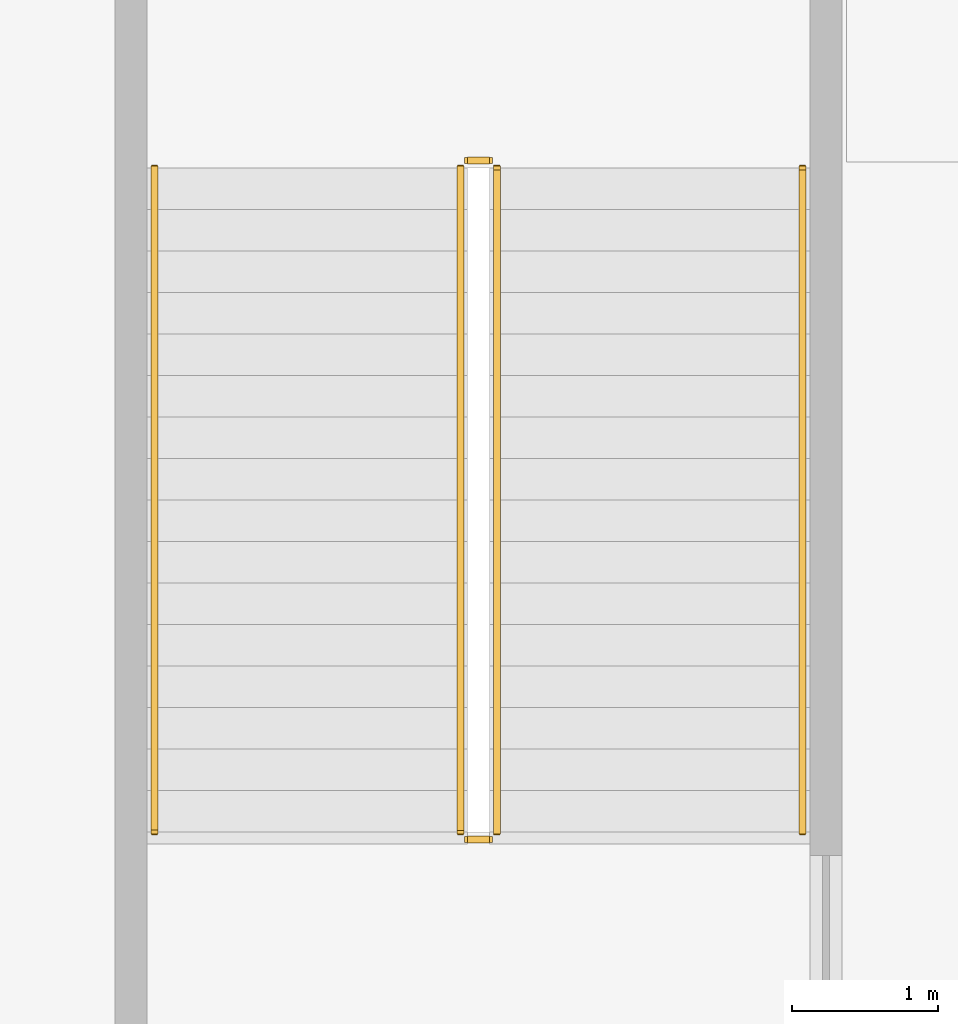
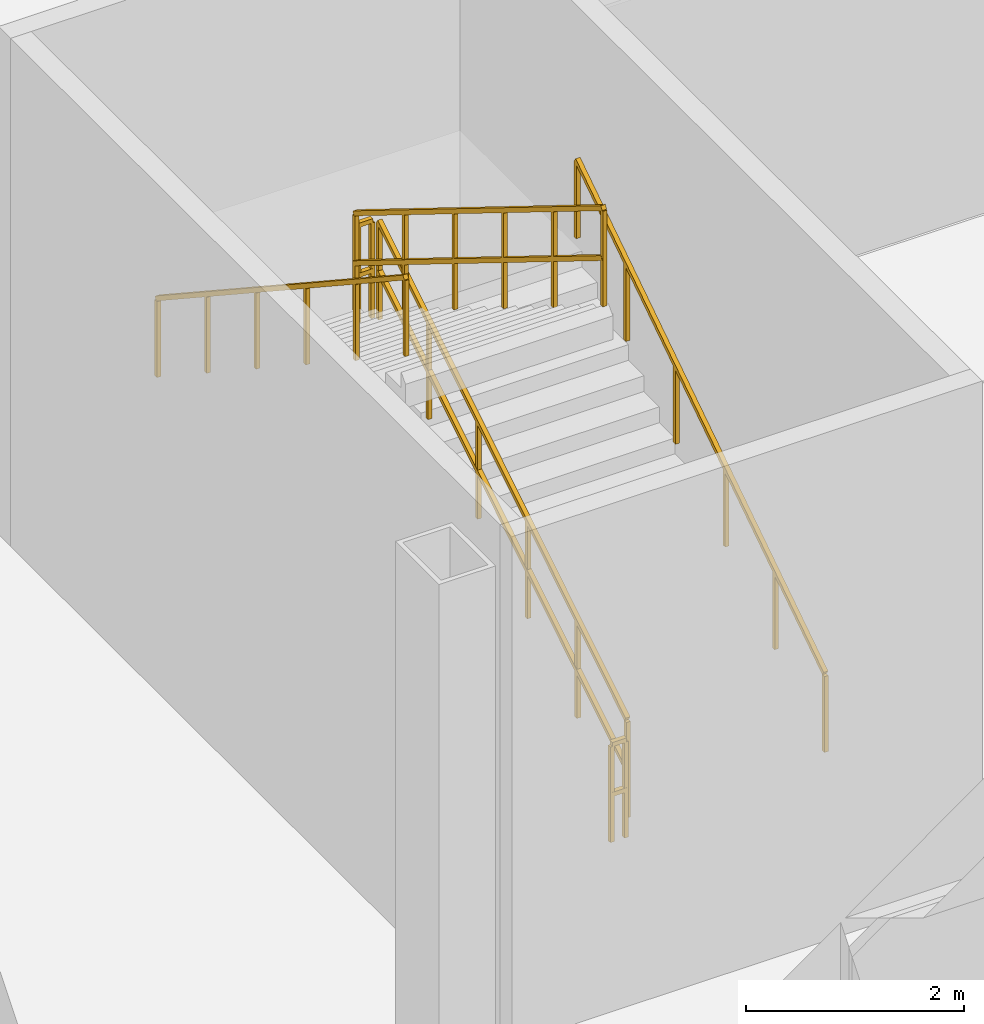
# One storey, part 17 of 24: 6 railings.
"""IFC4 building model written with IfcOpenShell, lengths in metres."""

from ifc_helpers import new_model, si_unit, direction, frame, origin, origin_2d, place, context, subcontext, project, spatial, rectangle, extrude, material, type_object, element, save


model = new_model("IFC4")

# Units and contexts
model_context = context("Model", 3, precision=1e-05, world=origin(), true_north=direction((0.0, 1.0)))
body_context = subcontext(model_context, "Body", "Model", "MODEL_VIEW")
ifc_project = project(units=[si_unit("LENGTHUNIT", "METRE"), si_unit("AREAUNIT", "SQUARE_METRE"), si_unit("VOLUMEUNIT", "CUBIC_METRE"), si_unit("PLANEANGLEUNIT", "RADIAN"), si_unit("MASSUNIT", "GRAM", prefix="KILO")], contexts=[model_context])

# Site, building, storey
site_placement = place(None, origin())
site = spatial("IfcSite", under=ifc_project, at=site_placement, CompositionType="ELEMENT")
building_placement = place(site_placement, origin())
building = spatial("IfcBuilding", under=site, at=building_placement, Name="Apsidion Concourse Tower", CompositionType="ELEMENT")
storey_placement = place(building_placement, frame((0.0, 0.0, 17.5)))
storey = spatial("IfcBuildingStorey", under=building, at=storey_placement, Name="L03", CompositionType="ELEMENT", Elevation=17.5)

# Railings
ifc_material = material(Name="Brushed stainless steel 316", Category="steel")
railing_type_1 = type_object("IfcRailingType", Name="RL-GUARD-1100", PredefinedType="GUARDRAIL", material=ifc_material)
railing_1_placement = place(storey_placement, frame((-31.800048828125, -22.60009765625, 0.176513671875)))
element("IfcRailing", 1, at=railing_1_placement, inside=storey, type_object=railing_type_1, Name="L03 ST-P1 stair guard 1", PredefinedType="GUARDRAIL", context=body_context, shape_type="SweptSolid", body=[
    extrude(rectangle(XDim=0.048095703125, YDim=0.048095703125, at=origin_2d()), frame((0.0, 0.0, 1.09619140625), z_axis=(0.0, 0.850215668316, 0.526434532824), x_axis=(-1.0, 0.0, 0.0)), (0.0, 0.0, 1.0), 5.363525390625),
    extrude(rectangle(XDim=0.048095703125, YDim=0.048095703125, at=origin_2d()), frame((0.0, 0.0, 0.5361328125), z_axis=(0.0, 0.850215668316, 0.526434532824), x_axis=(-1.0, 0.0, 0.0)), (0.0, 0.0, 1.0), 5.363525390625),
    extrude(rectangle(XDim=0.0419921875, YDim=0.0419921875, at=origin_2d()), origin(), (0.0, 0.0, 1.0), 1.072021484375),
    extrude(rectangle(XDim=0.0419921875, YDim=0.0419921875, at=origin_2d()), frame((0.0, 0.912109375, 0.564697265625)), (0.0, 0.0, 1.0), 1.072021484375),
    extrude(rectangle(XDim=0.0419921875, YDim=0.0419921875, at=origin_2d()), frame((0.0, 1.823974609375, 1.12939453125)), (0.0, 0.0, 1.0), 1.072021484375),
    extrude(rectangle(XDim=0.0419921875, YDim=0.0419921875, at=origin_2d()), frame((0.0, 2.736083984375, 1.694091796875)), (0.0, 0.0, 1.0), 1.072021484375),
    extrude(rectangle(XDim=0.0419921875, YDim=0.0419921875, at=origin_2d()), frame((0.0, 3.64794921875, 2.2587890625)), (0.0, 0.0, 1.0), 1.072021484375),
    extrude(rectangle(XDim=0.0419921875, YDim=0.0419921875, at=origin_2d()), frame((0.0, 4.56005859375, 2.823486328125)), (0.0, 0.0, 1.0), 1.072021484375),
])
railing_2_placement = place(storey_placement, frame((-31.85009765625, -17.989990234375, 3.0)))
element("IfcRailing", 2, at=railing_2_placement, inside=storey, type_object=railing_type_1, Name="L03 ST-P1 stair guard 2", PredefinedType="GUARDRAIL", context=body_context, shape_type="SweptSolid", body=[
    extrude(rectangle(XDim=0.048095703125, YDim=0.048095703125, at=origin_2d()), frame((0.0, 0.0, 1.09619140625), z_axis=(-1.0, 0.0, 0.0), x_axis=(0.0, -1.0, 0.0)), (0.0, 0.0, 1.0), 0.14990234375),
    extrude(rectangle(XDim=0.048095703125, YDim=0.048095703125, at=origin_2d()), frame((0.0, 0.0, 0.5361328125), z_axis=(-1.0, 0.0, 0.0), x_axis=(0.0, -1.0, 0.0)), (0.0, 0.0, 1.0), 0.14990234375),
    extrude(rectangle(XDim=0.0419921875, YDim=0.0419921875, at=origin_2d()), origin(), (0.0, 0.0, 1.0), 1.072021484375),
    extrude(rectangle(XDim=0.0419921875, YDim=0.0419921875, at=origin_2d()), frame((-0.14990234375, 0.0, 0.0)), (0.0, 0.0, 1.0), 1.072021484375),
])
railing_3_placement = place(storey_placement, frame((-32.050048828125, -18.0400390625, 3.176513671875)))
element("IfcRailing", 3, at=railing_3_placement, inside=storey, type_object=railing_type_1, Name="L03 ST-P1 stair guard 3", PredefinedType="GUARDRAIL", context=body_context, shape_type="SweptSolid", body=[
    extrude(rectangle(XDim=0.048095703125, YDim=0.048095703125, at=origin_2d()), frame((0.0, 0.0, 1.09619140625), z_axis=(0.0, -0.850215668316, 0.526434532824), x_axis=(1.0, 0.0, 0.0)), (0.0, 0.0, 1.0), 5.363525390625),
    extrude(rectangle(XDim=0.048095703125, YDim=0.048095703125, at=origin_2d()), frame((0.0, 0.0, 0.5361328125), z_axis=(0.0, -0.850215668316, 0.526434532824), x_axis=(1.0, 0.0, 0.0)), (0.0, 0.0, 1.0), 5.363525390625),
    extrude(rectangle(XDim=0.0419921875, YDim=0.0419921875, at=origin_2d()), origin(), (0.0, 0.0, 1.0), 1.072021484375),
    extrude(rectangle(XDim=0.0419921875, YDim=0.0419921875, at=origin_2d()), frame((0.0, -0.912109375, 0.564697265625)), (0.0, 0.0, 1.0), 1.072021484375),
    extrude(rectangle(XDim=0.0419921875, YDim=0.0419921875, at=origin_2d()), frame((0.0, -1.823974609375, 1.12939453125)), (0.0, 0.0, 1.0), 1.072021484375),
    extrude(rectangle(XDim=0.0419921875, YDim=0.0419921875, at=origin_2d()), frame((0.0, -2.736083984375, 1.694091796875)), (0.0, 0.0, 1.0), 1.072021484375),
    extrude(rectangle(XDim=0.0419921875, YDim=0.0419921875, at=origin_2d()), frame((0.0, -3.64794921875, 2.2587890625)), (0.0, 0.0, 1.0), 1.072021484375),
    extrude(rectangle(XDim=0.0419921875, YDim=0.0419921875, at=origin_2d()), frame((0.0, -4.56005859375, 2.823486328125)), (0.0, 0.0, 1.0), 1.072021484375),
])
railing_4_placement = place(storey_placement, frame((-31.85009765625, -22.64990234375, 0.0)))
element("IfcRailing", 4, at=railing_4_placement, inside=storey, type_object=railing_type_1, Name="L03 ST-P1 stair guard 4", PredefinedType="GUARDRAIL", context=body_context, shape_type="SweptSolid", body=[
    extrude(rectangle(XDim=0.048095703125, YDim=0.048095703125, at=origin_2d()), frame((0.0, 0.0, 1.09619140625), z_axis=(-1.0, 0.0, 0.0), x_axis=(0.0, -1.0, 0.0)), (0.0, 0.0, 1.0), 0.14990234375),
    extrude(rectangle(XDim=0.048095703125, YDim=0.048095703125, at=origin_2d()), frame((0.0, 0.0, 0.5361328125), z_axis=(-1.0, 0.0, 0.0), x_axis=(0.0, -1.0, 0.0)), (0.0, 0.0, 1.0), 0.14990234375),
    extrude(rectangle(XDim=0.0419921875, YDim=0.0419921875, at=origin_2d()), origin(), (0.0, 0.0, 1.0), 1.072021484375),
    extrude(rectangle(XDim=0.0419921875, YDim=0.0419921875, at=origin_2d()), frame((-0.14990234375, 0.0, 0.0)), (0.0, 0.0, 1.0), 1.072021484375),
])
railing_type_2 = type_object("IfcRailingType", Name="RL-HAND-900", PredefinedType="HANDRAIL", material=ifc_material)
railing_5_placement = place(storey_placement, frame((-29.699951171875, -22.60009765625, 0.176513671875)))
element("IfcRailing", 5, at=railing_5_placement, inside=storey, type_object=railing_type_2, Name="L03 ST-P1 stair handrail 1", PredefinedType="HANDRAIL", context=body_context, shape_type="SweptSolid", body=[
    extrude(rectangle(XDim=0.048095703125, YDim=0.048095703125, at=origin_2d()), frame((0.0, 0.0, 0.8759765625), z_axis=(0.0, 0.835420324919, 0.549611572578), x_axis=(-1.0, 0.0, 0.0)), (0.0, 0.0, 1.0), 5.45849609375),
    extrude(rectangle(XDim=0.0419921875, YDim=0.0419921875, at=origin_2d()), origin(), (0.0, 0.0, 1.0), 0.851806640625),
    extrude(rectangle(XDim=0.0419921875, YDim=0.0419921875, at=origin_2d()), frame((0.0, 0.912109375, 0.60009765625)), (0.0, 0.0, 1.0), 0.851806640625),
    extrude(rectangle(XDim=0.0419921875, YDim=0.0419921875, at=origin_2d()), frame((0.0, 1.823974609375, 1.199951171875)), (0.0, 0.0, 1.0), 0.851806640625),
    extrude(rectangle(XDim=0.0419921875, YDim=0.0419921875, at=origin_2d()), frame((0.0, 2.736083984375, 1.800048828125)), (0.0, 0.0, 1.0), 0.851806640625),
    extrude(rectangle(XDim=0.0419921875, YDim=0.0419921875, at=origin_2d()), frame((0.0, 3.64794921875, 2.39990234375)), (0.0, 0.0, 1.0), 0.851806640625),
    extrude(rectangle(XDim=0.0419921875, YDim=0.0419921875, at=origin_2d()), frame((0.0, 4.56005859375, 3.0)), (0.0, 0.0, 1.0), 0.851806640625),
])
railing_6_placement = place(storey_placement, frame((-34.14990234375, -18.0400390625, 3.176513671875)))
element("IfcRailing", 6, at=railing_6_placement, inside=storey, type_object=railing_type_2, Name="L03 ST-P1 stair handrail 2", PredefinedType="HANDRAIL", context=body_context, shape_type="SweptSolid", body=[
    extrude(rectangle(XDim=0.048095703125, YDim=0.048095703125, at=origin_2d()), frame((0.0, 0.0, 0.8759765625), z_axis=(0.0, -0.835420324919, 0.549611572578), x_axis=(1.0, 0.0, 0.0)), (0.0, 0.0, 1.0), 5.45849609375),
    extrude(rectangle(XDim=0.0419921875, YDim=0.0419921875, at=origin_2d()), origin(), (0.0, 0.0, 1.0), 0.851806640625),
    extrude(rectangle(XDim=0.0419921875, YDim=0.0419921875, at=origin_2d()), frame((0.0, -0.912109375, 0.60009765625)), (0.0, 0.0, 1.0), 0.851806640625),
    extrude(rectangle(XDim=0.0419921875, YDim=0.0419921875, at=origin_2d()), frame((0.0, -1.823974609375, 1.199951171875)), (0.0, 0.0, 1.0), 0.851806640625),
    extrude(rectangle(XDim=0.0419921875, YDim=0.0419921875, at=origin_2d()), frame((0.0, -2.736083984375, 1.800048828125)), (0.0, 0.0, 1.0), 0.851806640625),
    extrude(rectangle(XDim=0.0419921875, YDim=0.0419921875, at=origin_2d()), frame((0.0, -3.64794921875, 2.39990234375)), (0.0, 0.0, 1.0), 0.851806640625),
    extrude(rectangle(XDim=0.0419921875, YDim=0.0419921875, at=origin_2d()), frame((0.0, -4.56005859375, 3.0)), (0.0, 0.0, 1.0), 0.851806640625),
])

save(model, "model.ifc")
